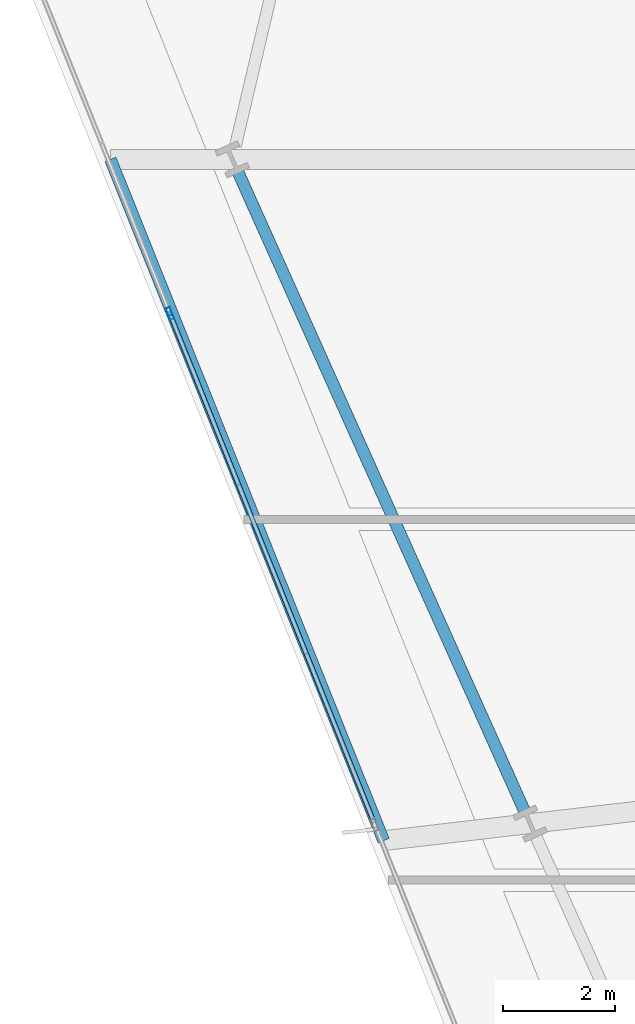
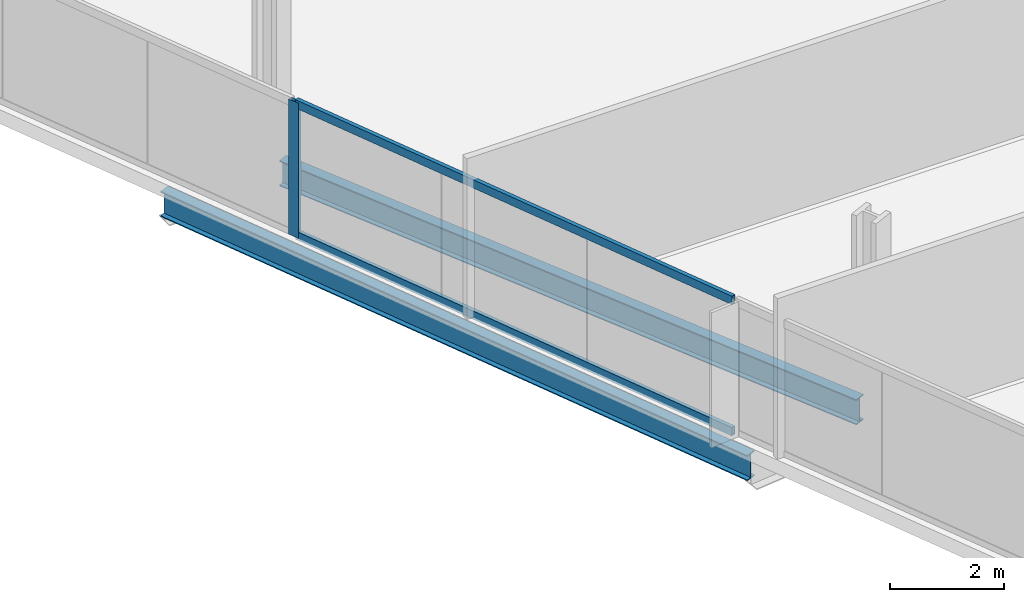
# One storey, part 6 of 33: 3 members, 2 beams, 1 element without a shape of its own.
"""IFC4 building model written with IfcOpenShell, lengths in metres."""

from ifc_helpers import new_model, si_unit, direction, frame, origin, origin_2d, place, context, subcontext, project, spatial, hollow_rectangle, i_section, extrude, material, material_profile, profile_set, type_object, element, aggregate, save


model = new_model("IFC4")

# Units and contexts
model_context = context("Model", 3, precision=1e-05, world=origin(), true_north=direction((0.0, 1.0)))
body_context = subcontext(model_context, "Body", "Model", "MODEL_VIEW")
ifc_project = project(units=[si_unit("LENGTHUNIT", "METRE"), si_unit("AREAUNIT", "SQUARE_METRE"), si_unit("VOLUMEUNIT", "CUBIC_METRE"), si_unit("PLANEANGLEUNIT", "RADIAN"), si_unit("MASSUNIT", "GRAM", prefix="KILO")], contexts=[model_context])

# Site, building, storey
site_placement = place(None, origin())
site = spatial("IfcSite", under=ifc_project, at=site_placement, CompositionType="ELEMENT")
building_placement = place(site_placement, origin())
building = spatial("IfcBuilding", under=site, at=building_placement, Name="Haldenkirk Collegiate Tower", CompositionType="ELEMENT")
storey_placement = place(building_placement, frame((0.0, 0.0, 101.699951171875)))
storey = spatial("IfcBuildingStorey", under=building, at=storey_placement, Name="L24", CompositionType="ELEMENT", Elevation=101.699951171875)

# Beams
ifc_material_1 = material(Name="Steel ASTM A992 Grade 50", Category="steel")
ifc_material_profile_1 = material_profile(ifc_material_1, i_section(OverallWidth=0.2119140625, OverallDepth=0.5439453125, WebThickness=0.01318359375, FlangeThickness=0.021240234375, at=origin_2d()), Name="W21X83")
ifc_profile_set_1 = profile_set([ifc_material_profile_1], Name="Steel ASTM A992 Grade 50")
beam_type = type_object("IfcBeamType", Name="BM-SPANDREL-W21X83", PredefinedType="SPANDREL", material=ifc_profile_set_1)
beam_1_placement = place(storey_placement, frame((9.418212890625, 28.212890625, -0.572021484375), z_axis=(0.409115233697, -0.912482726169, 0.0), x_axis=(0.912482726169, 0.409115233697, 0.0)))
element("IfcBeam", 1, at=beam_1_placement, inside=storey, type_object=beam_type, Name="L24 perimeter spandrel beam 14", PredefinedType="SPANDREL", context=body_context, shape_type="SweptSolid", body=[
    extrude(i_section(OverallWidth=0.2119140625, OverallDepth=0.5439453125, WebThickness=0.01318359375, FlangeThickness=0.021240234375, at=origin_2d()), origin(), (0.0, 0.0, 1.0), 12.524169921875),
])
beam_2_placement = place(storey_placement, frame((7.139892578125, 28.436767578125, -0.572021484375), z_axis=(0.372179582924, -0.928160739341, 0.0), x_axis=(0.928160739341, 0.372179582924, 0.0)))
element("IfcBeam", 2, at=beam_2_placement, inside=storey, type_object=beam_type, Name="L24 outer facade edge beam 4", PredefinedType="SPANDREL", context=body_context, shape_type="SweptSolid", body=[
    extrude(i_section(OverallWidth=0.2119140625, OverallDepth=0.5439453125, WebThickness=0.01318359375, FlangeThickness=0.021240234375, at=origin_2d()), origin(), (0.0, 0.0, 1.0), 13.12353515625),
])

# Curtain wall, members
ifc_material_2 = material(Name="Anodised architectural bronze aluminium", Category="aluminium")
curtain_wall_type = type_object("IfcCurtainWallType", Name="CW-SYS1-CONVEX-LOW", PredefinedType="USERDEFINED", material=ifc_material_2)
curtain_wall_placement = place(storey_placement, origin())
curtain_wall = element("IfcCurtainWall", 3, at=curtain_wall_placement, inside=storey, type_object=curtain_wall_type, Name="L24 Lower tower convex bronze-framed unitised curtain wall", ObjectType="UNITISED CURTAIN WALL", PredefinedType="USERDEFINED")
ifc_material_profile_2 = material_profile(ifc_material_2, hollow_rectangle(XDim=0.080078125, YDim=0.219970703125, WallThickness=0.0048828125, at=origin_2d()), Name="CW-MUL-1A")
ifc_profile_set_2 = profile_set([ifc_material_profile_2], Name="Anodised architectural bronze aluminium")
member_type_1 = type_object("IfcMemberType", Name="CW-MUL-1A", PredefinedType="MULLION", material=ifc_profile_set_2)
member_1_placement = place(storey_placement, frame((8.20166015625, 25.68115234375, 0.0), z_axis=(0.0, 0.0, 1.0), x_axis=(-0.928162513726, -0.372175157841, 0.0)))
member_1 = element("IfcMember", 4, at=member_1_placement, type_object=member_type_1, Name="CW-1A mullion 4", PredefinedType="MULLION", context=body_context, shape_type="SweptSolid", body=[
    extrude(hollow_rectangle(XDim=0.080078125, YDim=0.219970703125, WallThickness=0.0048828125, at=origin_2d()), origin(), (0.0, 0.0, 1.0), 2.901123046875),
])
ifc_material_profile_3 = material_profile(ifc_material_2, hollow_rectangle(XDim=0.080078125, YDim=0.179931640625, WallThickness=0.0048828125, at=origin_2d()), Name="CW-TRN-1A")
ifc_profile_set_3 = profile_set([ifc_material_profile_3], Name="Anodised architectural bronze aluminium")
member_type_2 = type_object("IfcMemberType", Name="CW-TRN-1A", PredefinedType="USERDEFINED", material=ifc_profile_set_3)
member_2_placement = place(storey_placement, frame((11.852783203125, 16.575927734375, 0.0400390625), z_axis=(-0.372183289337, 0.928159253112, 0.0), x_axis=(-0.928159253112, -0.372183289337, 0.0)))
member_2 = element("IfcMember", 5, at=member_2_placement, type_object=member_type_2, Name="CW-1A transom 3.1", ObjectType="TRANSOM", PredefinedType="USERDEFINED", context=body_context, shape_type="SweptSolid", body=[
    extrude(hollow_rectangle(XDim=0.080078125, YDim=0.179931640625, WallThickness=0.0048828125, at=origin_2d()), origin(), (0.0, 0.0, 1.0), 9.77001953125),
])
member_3_placement = place(storey_placement, frame((11.852783203125, 16.575927734375, 2.861083984375), z_axis=(-0.372183289337, 0.928159253112, 0.0), x_axis=(-0.928159253112, -0.372183289337, 0.0)))
member_3 = element("IfcMember", 6, at=member_3_placement, type_object=member_type_2, Name="CW-1A transom 3.2", ObjectType="TRANSOM", PredefinedType="USERDEFINED", context=body_context, shape_type="SweptSolid", body=[
    extrude(hollow_rectangle(XDim=0.080078125, YDim=0.179931640625, WallThickness=0.0048828125, at=origin_2d()), origin(), (0.0, 0.0, 1.0), 9.77001953125),
])
aggregate(curtain_wall, [member_1, member_2, member_3])

save(model, "model.ifc")
